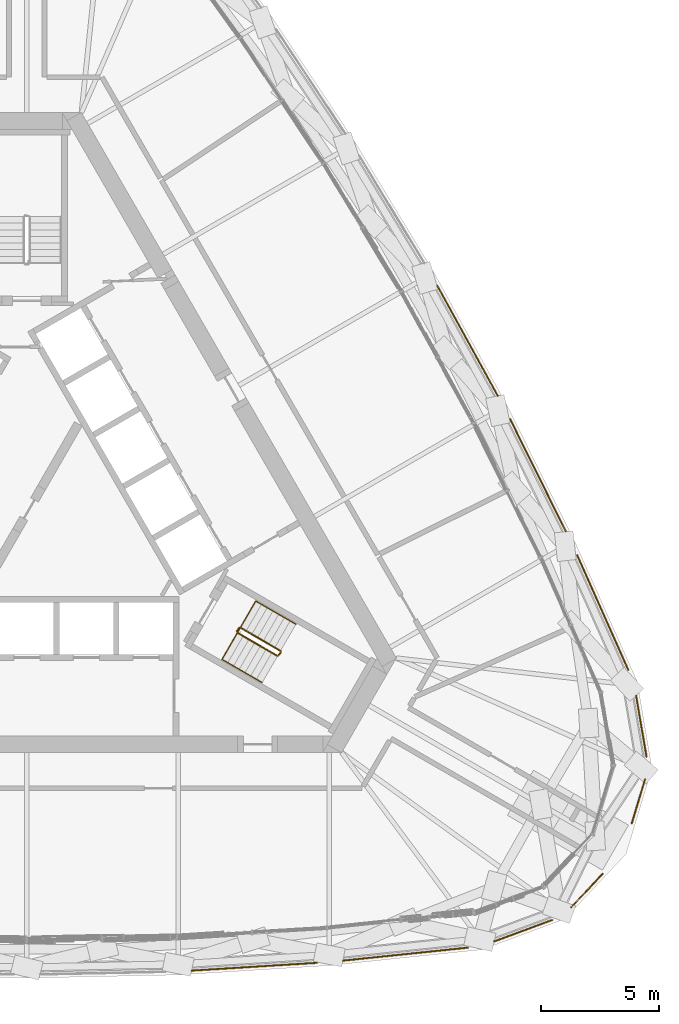
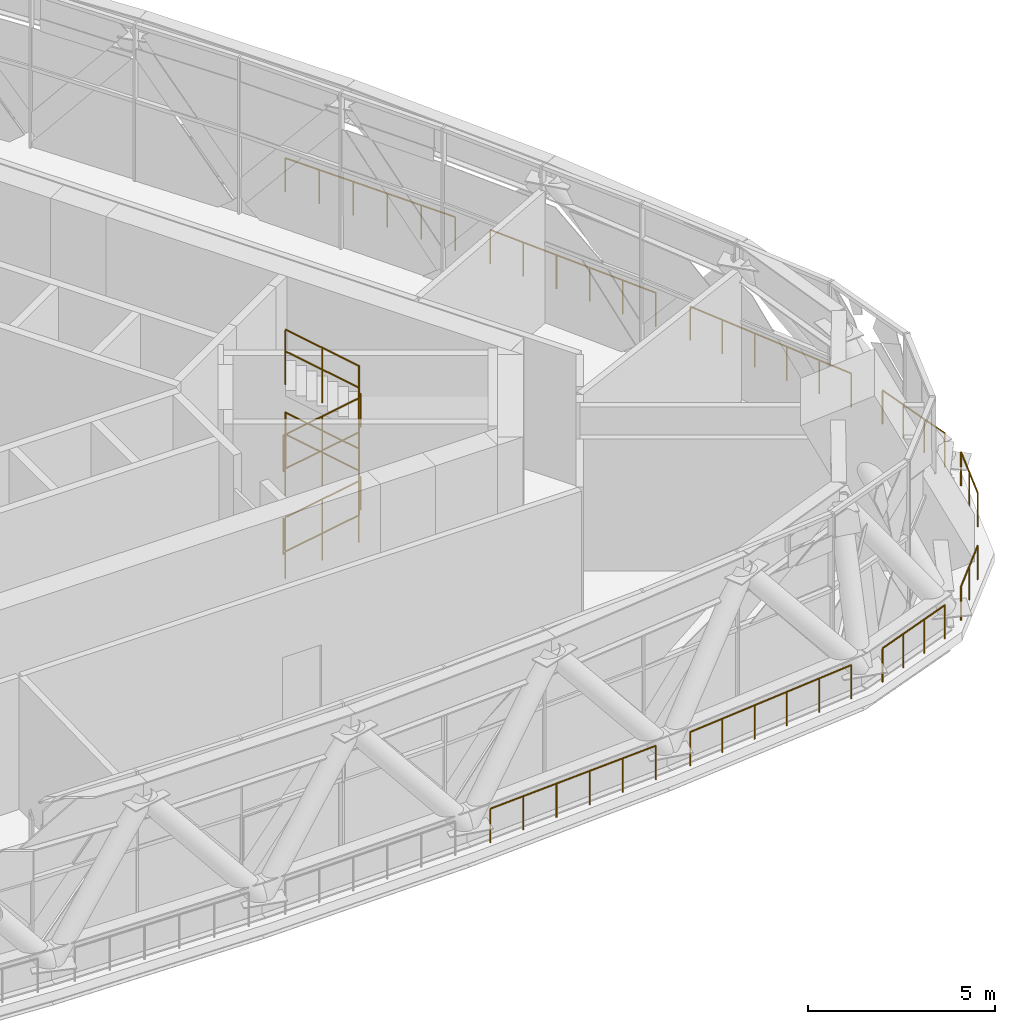
# One storey, part 32 of 33: 15 railings.
"""IFC4 building model written with IfcOpenShell, lengths in metres."""

from ifc_helpers import new_model, si_unit, direction, frame, origin, origin_2d, place, context, subcontext, project, spatial, circle, extrude, material, type_object, element, save


model = new_model("IFC4")

# Units and contexts
model_context = context("Model", 3, precision=1e-05, world=origin(), true_north=direction((0.0, 1.0)))
body_context = subcontext(model_context, "Body", "Model", "MODEL_VIEW")
ifc_project = project(units=[si_unit("LENGTHUNIT", "METRE"), si_unit("AREAUNIT", "SQUARE_METRE"), si_unit("VOLUMEUNIT", "CUBIC_METRE"), si_unit("PLANEANGLEUNIT", "RADIAN"), si_unit("MASSUNIT", "GRAM", prefix="KILO")], contexts=[model_context])

# Site, building, storey
site_placement = place(None, origin())
site = spatial("IfcSite", under=ifc_project, at=site_placement, CompositionType="ELEMENT")
building_placement = place(site_placement, origin())
building = spatial("IfcBuilding", under=site, at=building_placement, Name="Mestral Congress Tower", CompositionType="ELEMENT")
storey_placement = place(building_placement, frame((0.0, 0.0, 256.199951171875)))
storey = spatial("IfcBuildingStorey", under=building, at=storey_placement, Name="L60", CompositionType="ELEMENT", Elevation=256.199951171875)

# Railings
ifc_material_1 = material(Name="Stainless steel", Category="steel")
railing_type_1 = type_object("IfcRailingType", Name="Facade guard 1120 steel and glass", PredefinedType="GUARDRAIL", material=ifc_material_1)
railing_1_placement = place(storey_placement, frame((6.96630859375, -19.56298828125, 0.0)))
element("IfcRailing", 1, at=railing_1_placement, inside=storey, type_object=railing_type_1, Name="Band guard F0-04", PredefinedType="GUARDRAIL", context=body_context, shape_type="SweptSolid", body=[
    extrude(circle(Radius=0.02392578125, at=origin_2d()), frame((0.0, 0.0, 1.09619140625), z_axis=(0.9980633213, 0.062206162685, 0.0), x_axis=(-0.062206162685, 0.9980633213, 0.0)), (0.0, 0.0, 1.0), 5.29833984375),
    extrude(circle(Radius=0.02099609375, at=origin_2d()), origin(), (0.0, 0.0, 1.0), 1.072021484375),
    extrude(circle(Radius=0.02099609375, at=origin_2d()), frame((1.0576171875, 0.06591796875, 0.0)), (0.0, 0.0, 1.0), 1.072021484375),
    extrude(circle(Radius=0.02099609375, at=origin_2d()), frame((2.115234375, 0.1318359375, 0.0)), (0.0, 0.0, 1.0), 1.072021484375),
    extrude(circle(Radius=0.02099609375, at=origin_2d()), frame((3.1728515625, 0.19775390625, 0.0)), (0.0, 0.0, 1.0), 1.072021484375),
    extrude(circle(Radius=0.02099609375, at=origin_2d()), frame((4.23046875, 0.263671875, 0.0)), (0.0, 0.0, 1.0), 1.072021484375),
    extrude(circle(Radius=0.02099609375, at=origin_2d()), frame((5.2880859375, 0.32958984375, 0.0)), (0.0, 0.0, 1.0), 1.072021484375),
])
railing_2_placement = place(storey_placement, frame((13.364013671875, -19.14111328125, 0.0)))
element("IfcRailing", 2, at=railing_2_placement, inside=storey, type_object=railing_type_1, Name="Band guard F0-05", PredefinedType="GUARDRAIL", context=body_context, shape_type="SweptSolid", body=[
    extrude(circle(Radius=0.02392578125, at=origin_2d()), frame((0.0, 0.0, 1.09619140625), z_axis=(0.994617224528, 0.103617453507, 0.0), x_axis=(-0.103617453507, 0.994617224528, 0.0)), (0.0, 0.0, 1.0), 5.310791015625),
    extrude(circle(Radius=0.02099609375, at=origin_2d()), origin(), (0.0, 0.0, 1.0), 1.072021484375),
    extrude(circle(Radius=0.02099609375, at=origin_2d()), frame((1.056396484375, 0.110107421875, 0.0)), (0.0, 0.0, 1.0), 1.072021484375),
    extrude(circle(Radius=0.02099609375, at=origin_2d()), frame((2.11279296875, 0.22021484375, 0.0)), (0.0, 0.0, 1.0), 1.072021484375),
    extrude(circle(Radius=0.02099609375, at=origin_2d()), frame((3.16943359375, 0.330078125, 0.0)), (0.0, 0.0, 1.0), 1.072021484375),
    extrude(circle(Radius=0.02099609375, at=origin_2d()), frame((4.225830078125, 0.440185546875, 0.0)), (0.0, 0.0, 1.0), 1.072021484375),
    extrude(circle(Radius=0.02099609375, at=origin_2d()), frame((5.2822265625, 0.55029296875, 0.0)), (0.0, 0.0, 1.0), 1.072021484375),
])
railing_3_placement = place(storey_placement, frame((19.754638671875, -18.332763671875, 0.0)))
element("IfcRailing", 3, at=railing_3_placement, inside=storey, type_object=railing_type_1, Name="Band guard K0-0", PredefinedType="GUARDRAIL", context=body_context, shape_type="SweptSolid", body=[
    extrude(circle(Radius=0.02392578125, at=origin_2d()), frame((0.0, 0.0, 1.09619140625), z_axis=(0.937569171184, 0.347798863203, 0.0), x_axis=(-0.347798863203, 0.937569171184, 0.0)), (0.0, 0.0, 1.0), 2.609130859375),
    extrude(circle(Radius=0.02099609375, at=origin_2d()), origin(), (0.0, 0.0, 1.0), 1.072021484375),
    extrude(circle(Radius=0.02099609375, at=origin_2d()), frame((0.8154296875, 0.302490234375, 0.0)), (0.0, 0.0, 1.0), 1.072021484375),
    extrude(circle(Radius=0.02099609375, at=origin_2d()), frame((1.630859375, 0.60498046875, 0.0)), (0.0, 0.0, 1.0), 1.072021484375),
    extrude(circle(Radius=0.02099609375, at=origin_2d()), frame((2.4462890625, 0.907470703125, 0.0)), (0.0, 0.0, 1.0), 1.072021484375),
])
railing_4_placement = place(storey_placement, frame((23.003662109375, -16.892578125, 0.0)))
element("IfcRailing", 4, at=railing_4_placement, inside=storey, type_object=railing_type_1, Name="Band guard K0-1", PredefinedType="GUARDRAIL", context=body_context, shape_type="SweptSolid", body=[
    extrude(circle(Radius=0.02392578125, at=origin_2d()), frame((0.0, 0.0, 1.09619140625), z_axis=(0.684703707321, 0.728821537264, 0.0), x_axis=(-0.728821537264, 0.684703707321, 0.0)), (0.0, 0.0, 1.0), 1.947998046875),
    extrude(circle(Radius=0.02099609375, at=origin_2d()), origin(), (0.0, 0.0, 1.0), 1.072021484375),
    extrude(circle(Radius=0.02099609375, at=origin_2d()), frame((0.6669921875, 0.7099609375, 0.0)), (0.0, 0.0, 1.0), 1.072021484375),
    extrude(circle(Radius=0.02099609375, at=origin_2d()), frame((1.333740234375, 1.419677734375, 0.0)), (0.0, 0.0, 1.0), 1.072021484375),
])
railing_5_placement = place(storey_placement, frame((25.56884765625, -13.34033203125, 0.0)))
element("IfcRailing", 5, at=railing_5_placement, inside=storey, type_object=railing_type_1, Name="Band guard K0-2", PredefinedType="GUARDRAIL", context=body_context, shape_type="SweptSolid", body=[
    extrude(circle(Radius=0.02392578125, at=origin_2d()), frame((0.0, 0.0, 1.09619140625), z_axis=(0.288761854153, 0.957400956541, 0.0), x_axis=(-0.957400956541, 0.288761854153, 0.0)), (0.0, 0.0, 1.0), 1.947998046875),
    extrude(circle(Radius=0.02099609375, at=origin_2d()), origin(), (0.0, 0.0, 1.0), 1.072021484375),
    extrude(circle(Radius=0.02099609375, at=origin_2d()), frame((0.28125, 0.9326171875, 0.0)), (0.0, 0.0, 1.0), 1.072021484375),
    extrude(circle(Radius=0.02099609375, at=origin_2d()), frame((0.5625, 1.864990234375, 0.0)), (0.0, 0.0, 1.0), 1.072021484375),
])
railing_6_placement = place(storey_placement, frame((26.19140625, -10.513916015625, 0.0)))
element("IfcRailing", 6, at=railing_6_placement, inside=storey, type_object=railing_type_1, Name="Band guard K0-3", PredefinedType="GUARDRAIL", context=body_context, shape_type="SweptSolid", body=[
    extrude(circle(Radius=0.02392578125, at=origin_2d()), frame((0.0, 0.0, 1.09619140625), z_axis=(-0.167675521234, 0.985842238687, 0.0), x_axis=(-0.985842238687, -0.167675521234, 0.0)), (0.0, 0.0, 1.0), 2.609130859375),
    extrude(circle(Radius=0.02099609375, at=origin_2d()), origin(), (0.0, 0.0, 1.0), 1.072021484375),
    extrude(circle(Radius=0.02099609375, at=origin_2d()), frame((-0.145751953125, 0.857421875, 0.0)), (0.0, 0.0, 1.0), 1.072021484375),
    extrude(circle(Radius=0.02099609375, at=origin_2d()), frame((-0.291748046875, 1.71484375, 0.0)), (0.0, 0.0, 1.0), 1.072021484375),
    extrude(circle(Radius=0.02099609375, at=origin_2d()), frame((-0.4375, 2.572265625, 0.0)), (0.0, 0.0, 1.0), 1.072021484375),
])
railing_7_placement = place(storey_placement, frame((25.42333984375, -6.8525390625, 0.0)))
element("IfcRailing", 7, at=railing_7_placement, inside=storey, type_object=railing_type_1, Name="Band guard F1-00", PredefinedType="GUARDRAIL", context=body_context, shape_type="SweptSolid", body=[
    extrude(circle(Radius=0.02392578125, at=origin_2d()), frame((0.0, 0.0, 1.09619140625), z_axis=(-0.407596762386, 0.913162022476, 0.0), x_axis=(-0.913162022476, -0.407596762386, 0.0)), (0.0, 0.0, 1.0), 5.310546875),
    extrude(circle(Radius=0.02099609375, at=origin_2d()), origin(), (0.0, 0.0, 1.0), 1.072021484375),
    extrude(circle(Radius=0.02099609375, at=origin_2d()), frame((-0.432861328125, 0.969970703125, 0.0)), (0.0, 0.0, 1.0), 1.072021484375),
    extrude(circle(Radius=0.02099609375, at=origin_2d()), frame((-0.86572265625, 1.939697265625, 0.0)), (0.0, 0.0, 1.0), 1.072021484375),
    extrude(circle(Radius=0.02099609375, at=origin_2d()), frame((-1.298828125, 2.90966796875, 0.0)), (0.0, 0.0, 1.0), 1.072021484375),
    extrude(circle(Radius=0.02099609375, at=origin_2d()), frame((-1.731689453125, 3.87939453125, 0.0)), (0.0, 0.0, 1.0), 1.072021484375),
    extrude(circle(Radius=0.02099609375, at=origin_2d()), frame((-2.16455078125, 4.849365234375, 0.0)), (0.0, 0.0, 1.0), 1.072021484375),
])
railing_8_placement = place(storey_placement, frame((22.78369140625, -0.995849609375, 0.0)))
element("IfcRailing", 8, at=railing_8_placement, inside=storey, type_object=railing_type_1, Name="Band guard F1-01", PredefinedType="GUARDRAIL", context=body_context, shape_type="SweptSolid", body=[
    extrude(circle(Radius=0.02392578125, at=origin_2d()), frame((0.0, 0.0, 1.09619140625), z_axis=(-0.44514794998, 0.895457035613, 0.0), x_axis=(-0.895457035613, -0.44514794998, 0.0)), (0.0, 0.0, 1.0), 5.298095703125),
    extrude(circle(Radius=0.02099609375, at=origin_2d()), origin(), (0.0, 0.0, 1.0), 1.072021484375),
    extrude(circle(Radius=0.02099609375, at=origin_2d()), frame((-0.4716796875, 0.94873046875, 0.0)), (0.0, 0.0, 1.0), 1.072021484375),
    extrude(circle(Radius=0.02099609375, at=origin_2d()), frame((-0.943359375, 1.897705078125, 0.0)), (0.0, 0.0, 1.0), 1.072021484375),
    extrude(circle(Radius=0.02099609375, at=origin_2d()), frame((-1.4150390625, 2.846435546875, 0.0)), (0.0, 0.0, 1.0), 1.072021484375),
    extrude(circle(Radius=0.02099609375, at=origin_2d()), frame((-1.88671875, 3.79541015625, 0.0)), (0.0, 0.0, 1.0), 1.072021484375),
    extrude(circle(Radius=0.02099609375, at=origin_2d()), frame((-2.3583984375, 4.744140625, 0.0)), (0.0, 0.0, 1.0), 1.072021484375),
])
railing_9_placement = place(storey_placement, frame((19.908935546875, 4.735107421875, 0.0)))
element("IfcRailing", 9, at=railing_9_placement, inside=storey, type_object=railing_type_1, Name="Band guard F1-02", PredefinedType="GUARDRAIL", context=body_context, shape_type="SweptSolid", body=[
    extrude(circle(Radius=0.02392578125, at=origin_2d()), frame((0.0, 0.0, 1.09619140625), z_axis=(-0.481909905121, 0.876220773177, 0.0), x_axis=(-0.876220773177, -0.481909905121, 0.0)), (0.0, 0.0, 1.0), 5.298095703125),
    extrude(circle(Radius=0.02099609375, at=origin_2d()), origin(), (0.0, 0.0, 1.0), 1.072021484375),
    extrude(circle(Radius=0.02099609375, at=origin_2d()), frame((-0.5107421875, 0.928466796875, 0.0)), (0.0, 0.0, 1.0), 1.072021484375),
    extrude(circle(Radius=0.02099609375, at=origin_2d()), frame((-1.021240234375, 1.85693359375, 0.0)), (0.0, 0.0, 1.0), 1.072021484375),
    extrude(circle(Radius=0.02099609375, at=origin_2d()), frame((-1.531982421875, 2.785400390625, 0.0)), (0.0, 0.0, 1.0), 1.072021484375),
    extrude(circle(Radius=0.02099609375, at=origin_2d()), frame((-2.04248046875, 3.7138671875, 0.0)), (0.0, 0.0, 1.0), 1.072021484375),
    extrude(circle(Radius=0.02099609375, at=origin_2d()), frame((-2.55322265625, 4.642333984375, 0.0)), (0.0, 0.0, 1.0), 1.072021484375),
])
ifc_material_2 = material(Name="Steel balustrade", Category="steel")
railing_type_2 = type_object("IfcRailingType", Name="Stair guard 1100", PredefinedType="GUARDRAIL", material=ifc_material_2)
railing_10_placement = place(storey_placement, frame((8.90087890625, -5.283203125, 0.168701171875)))
element("IfcRailing", 10, at=railing_10_placement, inside=storey, type_object=railing_type_2, Name="L60 ST1 stair guard 1", PredefinedType="GUARDRAIL", context=body_context, shape_type="SweptSolid", body=[
    extrude(circle(Radius=0.02392578125, at=origin_2d()), frame((0.0, 0.0, 1.076171875), z_axis=(0.741730552229, -0.428204578836, 0.516213741153), x_axis=(0.499970440388, 0.866042469362, 0.0)), (0.0, 0.0, 1.0), 2.28857421875),
    extrude(circle(Radius=0.02392578125, at=origin_2d()), frame((1.697509765625, -0.97998046875, 2.25732421875), z_axis=(0.694552208452, 0.71944230466, 0.0), x_axis=(-0.71944230466, 0.694552208452, 0.0)), (0.0, 0.0, 1.0), 0.2060546875),
    extrude(circle(Radius=0.02099609375, at=origin_2d()), origin(), (0.0, 0.0, 1.0), 1.052001953125),
    extrude(circle(Radius=0.02099609375, at=origin_2d()), frame((0.8486328125, -0.489990234375, 0.5908203125)), (0.0, 0.0, 1.0), 1.052001953125),
    extrude(circle(Radius=0.02099609375, at=origin_2d()), frame((1.697509765625, -0.97998046875, 1.181396484375)), (0.0, 0.0, 1.0), 1.052001953125),
    extrude(circle(Radius=0.02099609375, at=origin_2d()), frame((1.840576171875, -0.831787109375, 1.181396484375)), (0.0, 0.0, 1.0), 1.052001953125),
])
railing_11_placement = place(storey_placement, frame((10.723388671875, -6.046630859375, 1.518798828125)))
element("IfcRailing", 11, at=railing_11_placement, inside=storey, type_object=railing_type_2, Name="L60 ST1 stair guard 2", PredefinedType="GUARDRAIL", context=body_context, shape_type="SweptSolid", body=[
    extrude(circle(Radius=0.02392578125, at=origin_2d()), frame((0.0, 0.0, 1.076171875), z_axis=(-0.741771397394, 0.428228158944, 0.516135484049), x_axis=(-0.499970440388, -0.866042469362, 0.0)), (0.0, 0.0, 1.0), 2.28857421875),
    extrude(circle(Radius=0.02392578125, at=origin_2d()), frame((-1.697509765625, 0.97998046875, 2.25732421875), z_axis=(-0.965948051503, -0.258736085224, 0.0), x_axis=(0.258736085224, -0.965948051503, 0.0)), (0.0, 0.0, 1.0), 0.07080078125),
    extrude(circle(Radius=0.02392578125, at=origin_2d()), frame((-1.765869140625, 0.961669921875, 2.25732421875), z_axis=(-0.499816412211, -0.866131372301, 0.0), x_axis=(0.866131372301, -0.499816412211, 0.0)), (0.0, 0.0, 1.0), 0.14990234375),
    extrude(circle(Radius=0.02099609375, at=origin_2d()), origin(), (0.0, 0.0, 1.0), 1.052001953125),
    extrude(circle(Radius=0.02099609375, at=origin_2d()), frame((-0.8486328125, 0.489990234375, 0.590576171875)), (0.0, 0.0, 1.0), 1.052001953125),
    extrude(circle(Radius=0.02099609375, at=origin_2d()), frame((-1.697509765625, 0.97998046875, 1.18115234375)), (0.0, 0.0, 1.0), 1.052001953125),
    extrude(circle(Radius=0.02099609375, at=origin_2d()), frame((-1.765869140625, 0.961669921875, 1.18115234375)), (0.0, 0.0, 1.0), 1.052001953125),
    extrude(circle(Radius=0.02099609375, at=origin_2d()), frame((-1.8408203125, 0.831787109375, 1.18115234375)), (0.0, 0.0, 1.0), 1.052001953125),
])
railing_12_placement = place(storey_placement, frame((8.90087890625, -5.283203125, 2.868896484375)))
element("IfcRailing", 12, at=railing_12_placement, inside=storey, type_object=railing_type_2, Name="L60 ST1 stair guard 3", PredefinedType="GUARDRAIL", context=body_context, shape_type="SweptSolid", body=[
    extrude(circle(Radius=0.02392578125, at=origin_2d()), frame((0.0, 0.0, 1.076171875), z_axis=(0.741771397394, -0.428228158944, 0.516135484049), x_axis=(0.499970440388, 0.866042469362, 0.0)), (0.0, 0.0, 1.0), 2.28857421875),
    extrude(circle(Radius=0.02392578125, at=origin_2d()), frame((1.697509765625, -0.97998046875, 2.25732421875), z_axis=(0.694552208452, 0.71944230466, 0.0), x_axis=(-0.71944230466, 0.694552208452, 0.0)), (0.0, 0.0, 1.0), 0.2060546875),
    extrude(circle(Radius=0.02099609375, at=origin_2d()), origin(), (0.0, 0.0, 1.0), 1.052001953125),
    extrude(circle(Radius=0.02099609375, at=origin_2d()), frame((0.8486328125, -0.489990234375, 0.590576171875)), (0.0, 0.0, 1.0), 1.052001953125),
    extrude(circle(Radius=0.02099609375, at=origin_2d()), frame((1.697509765625, -0.97998046875, 1.18115234375)), (0.0, 0.0, 1.0), 1.052001953125),
    extrude(circle(Radius=0.02099609375, at=origin_2d()), frame((1.840576171875, -0.831787109375, 1.18115234375)), (0.0, 0.0, 1.0), 1.052001953125),
])
railing_13_placement = place(storey_placement, frame((10.723388671875, -6.046630859375, 4.21875)))
element("IfcRailing", 13, at=railing_13_placement, inside=storey, type_object=railing_type_2, Name="L60 ST1 stair guard 4", PredefinedType="GUARDRAIL", context=body_context, shape_type="SweptSolid", body=[
    extrude(circle(Radius=0.02392578125, at=origin_2d()), frame((0.0, 0.0, 1.076171875), z_axis=(-0.741730552229, 0.428204578836, 0.516213741153), x_axis=(-0.499970440388, -0.866042469362, 0.0)), (0.0, 0.0, 1.0), 2.28857421875),
    extrude(circle(Radius=0.02099609375, at=origin_2d()), origin(), (0.0, 0.0, 1.0), 1.052001953125),
    extrude(circle(Radius=0.02099609375, at=origin_2d()), frame((-0.8486328125, 0.489990234375, 0.5908203125)), (0.0, 0.0, 1.0), 1.052001953125),
    extrude(circle(Radius=0.02099609375, at=origin_2d()), frame((-1.697509765625, 0.97998046875, 1.181396484375)), (0.0, 0.0, 1.0), 1.052001953125),
])
railing_14_placement = place(storey_placement, frame((8.882568359375, -5.21484375, 0.0)))
element("IfcRailing", 14, at=railing_14_placement, inside=storey, type_object=railing_type_2, Name="L60 ST1 stair guard 5", PredefinedType="GUARDRAIL", context=body_context, shape_type="SweptSolid", body=[
    extrude(circle(Radius=0.02392578125, at=origin_2d()), frame((0.0, 0.0, 1.076171875), z_axis=(0.499816412211, 0.866131372301, 0.0), x_axis=(-0.866131372301, 0.499816412211, 0.0)), (0.0, 0.0, 1.0), 0.14990234375),
    extrude(circle(Radius=0.02099609375, at=origin_2d()), origin(), (0.0, 0.0, 1.0), 1.052001953125),
    extrude(circle(Radius=0.02099609375, at=origin_2d()), frame((0.074951171875, 0.1298828125, 0.0)), (0.0, 0.0, 1.0), 1.052001953125),
])
ifc_material_3 = material(Name="Steel handrail", Category="steel")
railing_type_3 = type_object("IfcRailingType", Name="Stair handrail 900", PredefinedType="HANDRAIL", material=ifc_material_3)
railing_15_placement = place(storey_placement, frame((8.2509765625, -6.4091796875, 0.168701171875)))
element("IfcRailing", 15, at=railing_15_placement, inside=storey, type_object=railing_type_3, Name="L60 ST1 stair handrail 1", PredefinedType="HANDRAIL", context=body_context, shape_type="SweptSolid", body=[
    extrude(circle(Radius=0.02392578125, at=origin_2d()), frame((0.0, 0.0, 0.8759765625), z_axis=(0.741682559053, -0.428238462606, 0.516254589076), x_axis=(0.500024377727, 0.866011328839, 0.0)), (0.0, 0.0, 1.0), 2.288330078125),
    extrude(circle(Radius=0.02392578125, at=origin_2d()), frame((1.697265625, -0.97998046875, 2.05712890625), z_axis=(0.0, 0.0, 1.0), x_axis=(1.0, 0.0, 0.0)), (0.0, 0.0, 1.0), 2.699951171875),
    extrude(circle(Radius=0.02392578125, at=origin_2d()), frame((1.697265625, -0.97998046875, 4.75732421875), z_axis=(-0.74172340804, 0.428262048313, -0.516176330279), x_axis=(-0.500024377727, -0.866011328839, 0.0)), (0.0, 0.0, 1.0), 2.288330078125),
    extrude(circle(Radius=0.02392578125, at=origin_2d()), frame((0.0, 0.0, 3.576171875), z_axis=(0.499058937937, 0.86454521291, -0.059175597165), x_axis=(-0.866062911188, 0.499935029643, 0.0)), (0.0, 0.0, 1.0), 2.85498046875),
    extrude(circle(Radius=0.02392578125, at=origin_2d()), frame((1.4248046875, 2.46826171875, 3.4072265625), z_axis=(0.741771397394, -0.428228158944, -0.516135484049), x_axis=(0.499970440388, 0.866042469362, 0.0)), (0.0, 0.0, 1.0), 2.28857421875),
    extrude(circle(Radius=0.02392578125, at=origin_2d()), frame((3.122314453125, 1.48828125, 2.22607421875), z_axis=(0.0, 0.0, 1.0), x_axis=(1.0, 0.0, 0.0)), (0.0, 0.0, 1.0), 2.699951171875),
    extrude(circle(Radius=0.02392578125, at=origin_2d()), frame((3.122314453125, 1.48828125, 4.92578125), z_axis=(-0.741730552229, 0.428204578836, 0.516213741153), x_axis=(-0.499970440388, -0.866042469362, 0.0)), (0.0, 0.0, 1.0), 2.28857421875),
    extrude(circle(Radius=0.02099609375, at=origin_2d()), origin(), (0.0, 0.0, 1.0), 0.851806640625),
    extrude(circle(Radius=0.02099609375, at=origin_2d()), frame((0.8486328125, -0.489990234375, 0.5908203125)), (0.0, 0.0, 1.0), 0.851806640625),
    extrude(circle(Radius=0.02099609375, at=origin_2d()), frame((1.697265625, -0.97998046875, 1.181396484375)), (0.0, 0.0, 1.0), 0.851806640625),
    extrude(circle(Radius=0.02099609375, at=origin_2d()), frame((1.697265625, -0.97998046875, 2.081298828125)), (0.0, 0.0, 1.0), 0.851806640625),
    extrude(circle(Radius=0.02099609375, at=origin_2d()), frame((1.697265625, -0.97998046875, 2.9814453125)), (0.0, 0.0, 1.0), 0.851806640625),
    extrude(circle(Radius=0.02099609375, at=origin_2d()), frame((1.697265625, -0.97998046875, 3.88134765625)), (0.0, 0.0, 1.0), 0.851806640625),
    extrude(circle(Radius=0.02099609375, at=origin_2d()), frame((0.8486328125, -0.489990234375, 3.290771484375)), (0.0, 0.0, 1.0), 0.851806640625),
    extrude(circle(Radius=0.02099609375, at=origin_2d()), frame((0.0, 0.0, 2.7001953125)), (0.0, 0.0, 1.0), 0.851806640625),
    extrude(circle(Radius=0.02099609375, at=origin_2d()), frame((0.474853515625, 0.82275390625, 2.643798828125)), (0.0, 0.0, 1.0), 0.851806640625),
    extrude(circle(Radius=0.02099609375, at=origin_2d()), frame((0.949951171875, 1.6455078125, 2.587646484375)), (0.0, 0.0, 1.0), 0.851806640625),
    extrude(circle(Radius=0.02099609375, at=origin_2d()), frame((1.4248046875, 2.46826171875, 2.53125)), (0.0, 0.0, 1.0), 0.851806640625),
    extrude(circle(Radius=0.02099609375, at=origin_2d()), frame((2.2734375, 1.978271484375, 1.940673828125)), (0.0, 0.0, 1.0), 0.851806640625),
    extrude(circle(Radius=0.02099609375, at=origin_2d()), frame((3.122314453125, 1.48828125, 1.35009765625)), (0.0, 0.0, 1.0), 0.851806640625),
    extrude(circle(Radius=0.02099609375, at=origin_2d()), frame((3.122314453125, 1.48828125, 2.25)), (0.0, 0.0, 1.0), 0.851806640625),
    extrude(circle(Radius=0.02099609375, at=origin_2d()), frame((3.122314453125, 1.48828125, 3.150146484375)), (0.0, 0.0, 1.0), 0.851806640625),
    extrude(circle(Radius=0.02099609375, at=origin_2d()), frame((3.122314453125, 1.48828125, 4.050048828125)), (0.0, 0.0, 1.0), 0.851806640625),
    extrude(circle(Radius=0.02099609375, at=origin_2d()), frame((2.2734375, 1.978271484375, 4.640625)), (0.0, 0.0, 1.0), 0.851806640625),
    extrude(circle(Radius=0.02099609375, at=origin_2d()), frame((1.4248046875, 2.46826171875, 5.2314453125)), (0.0, 0.0, 1.0), 0.851806640625),
])

save(model, "model.ifc")
